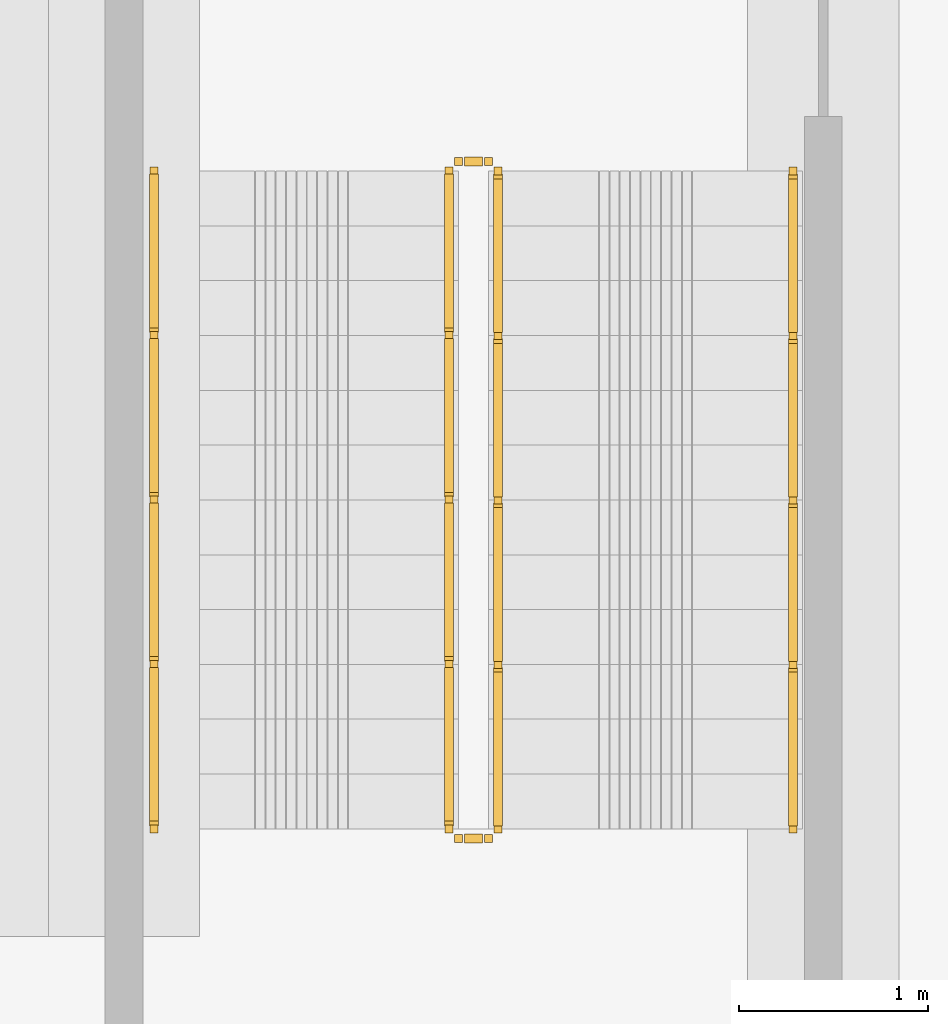
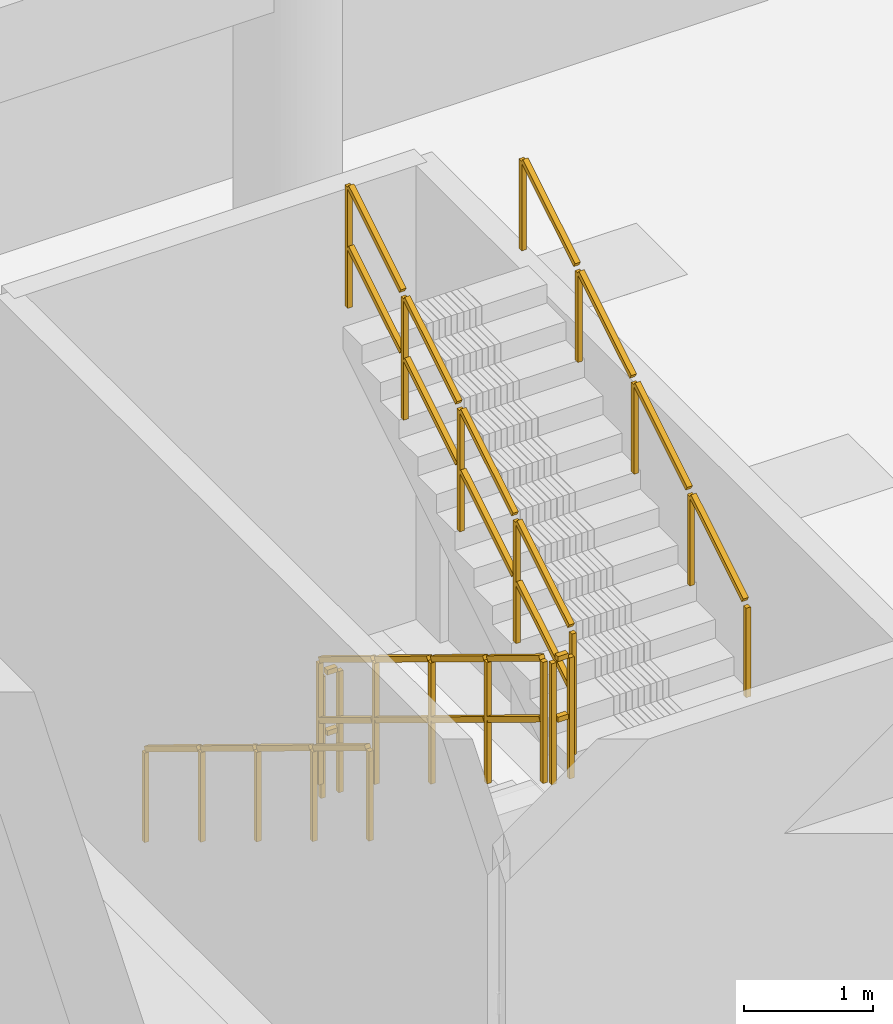
# One storey, part 11 of 14: 6 railings.
"""IFC4 building model written with IfcOpenShell, lengths in metres."""

from ifc_helpers import new_model, si_unit, direction, frame, origin, origin_2d, place, context, subcontext, project, spatial, rectangle, extrude, material, type_object, element, save


model = new_model("IFC4")

# Units and contexts
model_context = context("Model", 3, precision=1e-05, world=origin(), true_north=direction((0.0, 1.0)))
body_context = subcontext(model_context, "Body", "Model", "MODEL_VIEW")
ifc_project = project(units=[si_unit("LENGTHUNIT", "METRE"), si_unit("AREAUNIT", "SQUARE_METRE"), si_unit("VOLUMEUNIT", "CUBIC_METRE"), si_unit("PLANEANGLEUNIT", "RADIAN"), si_unit("MASSUNIT", "GRAM", prefix="KILO")], contexts=[model_context])

# Site, building, storey
site_placement = place(None, origin())
site = spatial("IfcSite", under=ifc_project, at=site_placement, CompositionType="ELEMENT")
building_placement = place(site_placement, origin())
building = spatial("IfcBuilding", under=site, at=building_placement, Name="Saelheon Loggia Tower", CompositionType="ELEMENT")
storey_placement = place(building_placement, frame((0.0, 0.0, -9.199951171875)))
storey = spatial("IfcBuildingStorey", under=building, at=storey_placement, Name="B2", CompositionType="ELEMENT", Elevation=-9.199951171875)

# Railings
ifc_material_1 = material(Name="Galvanised Steel S275 Stairwell Guardrail", Category="steel")
railing_type_1 = type_object("IfcRailingType", Name="Guard_StairWell_RL_STG", PredefinedType="GUARDRAIL", material=ifc_material_1)
railing_1_placement = place(storey_placement, frame((4.9599609375, 45.85009765625, 0.1767578125)))
element("IfcRailing", 1, at=railing_1_placement, inside=storey, type_object=railing_type_1, Name="B2 ST3 stair guard 1", PredefinedType="GUARDRAIL", context=body_context, shape_type="SweptSolid", body=[
    extrude(rectangle(XDim=0.048095703125, YDim=0.048095703125, at=origin_2d()), frame((0.0, -0.0283203125, 1.193115234375), z_axis=(0.0, -0.853648758027, 0.520849112429), x_axis=(1.0, 0.0, 0.0)), (0.0, 0.0, 1.0), 0.95263671875),
    extrude(rectangle(XDim=0.048095703125, YDim=0.048095703125, at=origin_2d()), frame((0.0, -0.0283203125, 0.6171875), z_axis=(0.0, -0.853648758027, 0.520849112429), x_axis=(1.0, 0.0, 0.0)), (0.0, 0.0, 1.0), 0.95263671875),
    extrude(rectangle(XDim=0.048095703125, YDim=0.048095703125, at=origin_2d()), frame((0.0, -0.8984375, 1.72412109375), z_axis=(0.0, -0.853648758027, 0.520849112429), x_axis=(1.0, 0.0, 0.0)), (0.0, 0.0, 1.0), 0.95263671875),
    extrude(rectangle(XDim=0.048095703125, YDim=0.048095703125, at=origin_2d()), frame((0.0, -0.8984375, 1.148193359375), z_axis=(0.0, -0.853648758027, 0.520849112429), x_axis=(1.0, 0.0, 0.0)), (0.0, 0.0, 1.0), 0.95263671875),
    extrude(rectangle(XDim=0.048095703125, YDim=0.048095703125, at=origin_2d()), frame((0.0, -1.768310546875, 2.2548828125), z_axis=(0.0, -0.853648758027, 0.520849112429), x_axis=(1.0, 0.0, 0.0)), (0.0, 0.0, 1.0), 0.95263671875),
    extrude(rectangle(XDim=0.048095703125, YDim=0.048095703125, at=origin_2d()), frame((0.0, -1.768310546875, 1.678955078125), z_axis=(0.0, -0.853648758027, 0.520849112429), x_axis=(1.0, 0.0, 0.0)), (0.0, 0.0, 1.0), 0.95263671875),
    extrude(rectangle(XDim=0.048095703125, YDim=0.048095703125, at=origin_2d()), frame((0.0, -2.638427734375, 2.78564453125), z_axis=(0.0, -0.853648758027, 0.520849112429), x_axis=(1.0, 0.0, 0.0)), (0.0, 0.0, 1.0), 0.95263671875),
    extrude(rectangle(XDim=0.048095703125, YDim=0.048095703125, at=origin_2d()), frame((0.0, -2.638427734375, 2.209716796875), z_axis=(0.0, -0.853648758027, 0.520849112429), x_axis=(1.0, 0.0, 0.0)), (0.0, 0.0, 1.0), 0.95263671875),
    extrude(rectangle(XDim=0.0419921875, YDim=0.0419921875, at=origin_2d()), origin(), (0.0, 0.0, 1.0), 1.14794921875),
    extrude(rectangle(XDim=0.0419921875, YDim=0.0419921875, at=origin_2d()), frame((0.0, -0.8701171875, 0.53076171875)), (0.0, 0.0, 1.0), 1.14794921875),
    extrude(rectangle(XDim=0.0419921875, YDim=0.0419921875, at=origin_2d()), frame((0.0, -1.739990234375, 1.0615234375)), (0.0, 0.0, 1.0), 1.14794921875),
    extrude(rectangle(XDim=0.0419921875, YDim=0.0419921875, at=origin_2d()), frame((0.0, -2.60986328125, 1.592529296875)), (0.0, 0.0, 1.0), 1.14794921875),
    extrude(rectangle(XDim=0.0419921875, YDim=0.0419921875, at=origin_2d()), frame((0.0, -3.47998046875, 2.123291015625)), (0.0, 0.0, 1.0), 1.14794921875),
])
railing_2_placement = place(storey_placement, frame((5.010009765625, 42.320068359375, 2.300048828125)))
element("IfcRailing", 2, at=railing_2_placement, inside=storey, type_object=railing_type_1, Name="B2 ST3 stair guard 2", PredefinedType="GUARDRAIL", context=body_context, shape_type="SweptSolid", body=[
    extrude(rectangle(XDim=0.048095703125, YDim=0.048095703125, at=origin_2d()), frame((0.033203125, 0.0, 1.17578125), z_axis=(1.0, 0.0, 0.0), x_axis=(0.0, 1.0, 0.0)), (0.0, 0.0, 1.0), 0.093505859375),
    extrude(rectangle(XDim=0.048095703125, YDim=0.048095703125, at=origin_2d()), frame((0.033203125, 0.0, 0.60009765625), z_axis=(1.0, 0.0, 0.0), x_axis=(0.0, 1.0, 0.0)), (0.0, 0.0, 1.0), 0.093505859375),
    extrude(rectangle(XDim=0.0419921875, YDim=0.0419921875, at=origin_2d()), origin(), (0.0, 0.0, 1.0), 1.14794921875),
    extrude(rectangle(XDim=0.0419921875, YDim=0.0419921875, at=origin_2d()), frame((0.159912109375, 0.0, 0.0)), (0.0, 0.0, 1.0), 1.14794921875),
])
railing_3_placement = place(storey_placement, frame((5.219970703125, 42.3701171875, 2.476806640625)))
element("IfcRailing", 3, at=railing_3_placement, inside=storey, type_object=railing_type_1, Name="B2 ST3 stair guard 3", PredefinedType="GUARDRAIL", context=body_context, shape_type="SweptSolid", body=[
    extrude(rectangle(XDim=0.048095703125, YDim=0.048095703125, at=origin_2d()), frame((0.0, 0.0283203125, 1.193115234375), z_axis=(0.0, 0.853675385439, 0.520805468765), x_axis=(-1.0, 0.0, 0.0)), (0.0, 0.0, 1.0), 0.95263671875),
    extrude(rectangle(XDim=0.048095703125, YDim=0.048095703125, at=origin_2d()), frame((0.0, 0.0283203125, 0.6171875), z_axis=(0.0, 0.853675385439, 0.520805468765), x_axis=(-1.0, 0.0, 0.0)), (0.0, 0.0, 1.0), 0.95263671875),
    extrude(rectangle(XDim=0.048095703125, YDim=0.048095703125, at=origin_2d()), frame((0.0, 0.8984375, 1.723876953125), z_axis=(0.0, 0.853675385439, 0.520805468765), x_axis=(-1.0, 0.0, 0.0)), (0.0, 0.0, 1.0), 0.95263671875),
    extrude(rectangle(XDim=0.048095703125, YDim=0.048095703125, at=origin_2d()), frame((0.0, 0.8984375, 1.14794921875), z_axis=(0.0, 0.853675385439, 0.520805468765), x_axis=(-1.0, 0.0, 0.0)), (0.0, 0.0, 1.0), 0.95263671875),
    extrude(rectangle(XDim=0.048095703125, YDim=0.048095703125, at=origin_2d()), frame((0.0, 1.768310546875, 2.254638671875), z_axis=(0.0, 0.853675385439, 0.520805468765), x_axis=(-1.0, 0.0, 0.0)), (0.0, 0.0, 1.0), 0.95263671875),
    extrude(rectangle(XDim=0.048095703125, YDim=0.048095703125, at=origin_2d()), frame((0.0, 1.768310546875, 1.6787109375), z_axis=(0.0, 0.853675385439, 0.520805468765), x_axis=(-1.0, 0.0, 0.0)), (0.0, 0.0, 1.0), 0.95263671875),
    extrude(rectangle(XDim=0.048095703125, YDim=0.048095703125, at=origin_2d()), frame((0.0, 2.638427734375, 2.785400390625), z_axis=(0.0, 0.853675385439, 0.520805468765), x_axis=(-1.0, 0.0, 0.0)), (0.0, 0.0, 1.0), 0.95263671875),
    extrude(rectangle(XDim=0.048095703125, YDim=0.048095703125, at=origin_2d()), frame((0.0, 2.638427734375, 2.20947265625), z_axis=(0.0, 0.853675385439, 0.520805468765), x_axis=(-1.0, 0.0, 0.0)), (0.0, 0.0, 1.0), 0.95263671875),
    extrude(rectangle(XDim=0.0419921875, YDim=0.0419921875, at=origin_2d()), origin(), (0.0, 0.0, 1.0), 1.14794921875),
    extrude(rectangle(XDim=0.0419921875, YDim=0.0419921875, at=origin_2d()), frame((0.0, 0.8701171875, 0.53076171875)), (0.0, 0.0, 1.0), 1.14794921875),
    extrude(rectangle(XDim=0.0419921875, YDim=0.0419921875, at=origin_2d()), frame((0.0, 1.739990234375, 1.0615234375)), (0.0, 0.0, 1.0), 1.14794921875),
    extrude(rectangle(XDim=0.0419921875, YDim=0.0419921875, at=origin_2d()), frame((0.0, 2.60986328125, 1.59228515625)), (0.0, 0.0, 1.0), 1.14794921875),
    extrude(rectangle(XDim=0.0419921875, YDim=0.0419921875, at=origin_2d()), frame((0.0, 3.47998046875, 2.123046875)), (0.0, 0.0, 1.0), 1.14794921875),
])
railing_4_placement = place(storey_placement, frame((5.010009765625, 45.89990234375, 0.0)))
element("IfcRailing", 4, at=railing_4_placement, inside=storey, type_object=railing_type_1, Name="B2 ST3 stair guard 4", PredefinedType="GUARDRAIL", context=body_context, shape_type="SweptSolid", body=[
    extrude(rectangle(XDim=0.048095703125, YDim=0.048095703125, at=origin_2d()), frame((0.033203125, 0.0, 1.17578125), z_axis=(1.0, 0.0, 0.0), x_axis=(0.0, 1.0, 0.0)), (0.0, 0.0, 1.0), 0.093505859375),
    extrude(rectangle(XDim=0.048095703125, YDim=0.048095703125, at=origin_2d()), frame((0.033203125, 0.0, 0.60009765625), z_axis=(1.0, 0.0, 0.0), x_axis=(0.0, 1.0, 0.0)), (0.0, 0.0, 1.0), 0.093505859375),
    extrude(rectangle(XDim=0.0419921875, YDim=0.0419921875, at=origin_2d()), origin(), (0.0, 0.0, 1.0), 1.14794921875),
    extrude(rectangle(XDim=0.0419921875, YDim=0.0419921875, at=origin_2d()), frame((0.159912109375, 0.0, 0.0)), (0.0, 0.0, 1.0), 1.14794921875),
])
ifc_material_2 = material(Name="Stainless Steel 304 Tubular Handrail", Category="steel")
railing_type_2 = type_object("IfcRailingType", Name="Handrail_Stair_RL_HR1", PredefinedType="HANDRAIL", material=ifc_material_2)
railing_5_placement = place(storey_placement, frame((3.39990234375, 45.85009765625, 0.1767578125)))
element("IfcRailing", 5, at=railing_5_placement, inside=storey, type_object=railing_type_2, Name="B2 ST3 stair handrail 1", PredefinedType="HANDRAIL", context=body_context, shape_type="SweptSolid", body=[
    extrude(rectangle(XDim=0.048095703125, YDim=0.048095703125, at=origin_2d()), frame((0.0, -0.0283203125, 0.89306640625), z_axis=(0.0, -0.853648758027, 0.520849112429), x_axis=(1.0, 0.0, 0.0)), (0.0, 0.0, 1.0), 0.95263671875),
    extrude(rectangle(XDim=0.048095703125, YDim=0.048095703125, at=origin_2d()), frame((0.0, -0.8984375, 1.424072265625), z_axis=(0.0, -0.853648758027, 0.520849112429), x_axis=(1.0, 0.0, 0.0)), (0.0, 0.0, 1.0), 0.95263671875),
    extrude(rectangle(XDim=0.048095703125, YDim=0.048095703125, at=origin_2d()), frame((0.0, -1.768310546875, 1.954833984375), z_axis=(0.0, -0.853648758027, 0.520849112429), x_axis=(1.0, 0.0, 0.0)), (0.0, 0.0, 1.0), 0.95263671875),
    extrude(rectangle(XDim=0.048095703125, YDim=0.048095703125, at=origin_2d()), frame((0.0, -2.638427734375, 2.485595703125), z_axis=(0.0, -0.853648758027, 0.520849112429), x_axis=(1.0, 0.0, 0.0)), (0.0, 0.0, 1.0), 0.95263671875),
    extrude(rectangle(XDim=0.0419921875, YDim=0.0419921875, at=origin_2d()), origin(), (0.0, 0.0, 1.0), 0.847900390625),
    extrude(rectangle(XDim=0.0419921875, YDim=0.0419921875, at=origin_2d()), frame((0.0, -0.8701171875, 0.53076171875)), (0.0, 0.0, 1.0), 0.847900390625),
    extrude(rectangle(XDim=0.0419921875, YDim=0.0419921875, at=origin_2d()), frame((0.0, -1.739990234375, 1.0615234375)), (0.0, 0.0, 1.0), 0.847900390625),
    extrude(rectangle(XDim=0.0419921875, YDim=0.0419921875, at=origin_2d()), frame((0.0, -2.60986328125, 1.592529296875)), (0.0, 0.0, 1.0), 0.847900390625),
    extrude(rectangle(XDim=0.0419921875, YDim=0.0419921875, at=origin_2d()), frame((0.0, -3.47998046875, 2.123291015625)), (0.0, 0.0, 1.0), 0.847900390625),
])
railing_6_placement = place(storey_placement, frame((6.780029296875, 42.3701171875, 2.476806640625)))
element("IfcRailing", 6, at=railing_6_placement, inside=storey, type_object=railing_type_2, Name="B2 ST3 stair handrail 2", PredefinedType="HANDRAIL", context=body_context, shape_type="SweptSolid", body=[
    extrude(rectangle(XDim=0.048095703125, YDim=0.048095703125, at=origin_2d()), frame((0.0, 0.0283203125, 0.89306640625), z_axis=(0.0, 0.853675385439, 0.520805468765), x_axis=(-1.0, 0.0, 0.0)), (0.0, 0.0, 1.0), 0.95263671875),
    extrude(rectangle(XDim=0.048095703125, YDim=0.048095703125, at=origin_2d()), frame((0.0, 0.8984375, 1.423828125), z_axis=(0.0, 0.853675385439, 0.520805468765), x_axis=(-1.0, 0.0, 0.0)), (0.0, 0.0, 1.0), 0.95263671875),
    extrude(rectangle(XDim=0.048095703125, YDim=0.048095703125, at=origin_2d()), frame((0.0, 1.768310546875, 1.95458984375), z_axis=(0.0, 0.853675385439, 0.520805468765), x_axis=(-1.0, 0.0, 0.0)), (0.0, 0.0, 1.0), 0.95263671875),
    extrude(rectangle(XDim=0.048095703125, YDim=0.048095703125, at=origin_2d()), frame((0.0, 2.638427734375, 2.4853515625), z_axis=(0.0, 0.853675385439, 0.520805468765), x_axis=(-1.0, 0.0, 0.0)), (0.0, 0.0, 1.0), 0.95263671875),
    extrude(rectangle(XDim=0.0419921875, YDim=0.0419921875, at=origin_2d()), origin(), (0.0, 0.0, 1.0), 0.847900390625),
    extrude(rectangle(XDim=0.0419921875, YDim=0.0419921875, at=origin_2d()), frame((0.0, 0.8701171875, 0.53076171875)), (0.0, 0.0, 1.0), 0.847900390625),
    extrude(rectangle(XDim=0.0419921875, YDim=0.0419921875, at=origin_2d()), frame((0.0, 1.739990234375, 1.0615234375)), (0.0, 0.0, 1.0), 0.847900390625),
    extrude(rectangle(XDim=0.0419921875, YDim=0.0419921875, at=origin_2d()), frame((0.0, 2.60986328125, 1.59228515625)), (0.0, 0.0, 1.0), 0.847900390625),
    extrude(rectangle(XDim=0.0419921875, YDim=0.0419921875, at=origin_2d()), frame((0.0, 3.47998046875, 2.123046875)), (0.0, 0.0, 1.0), 0.847900390625),
])

save(model, "model.ifc")
